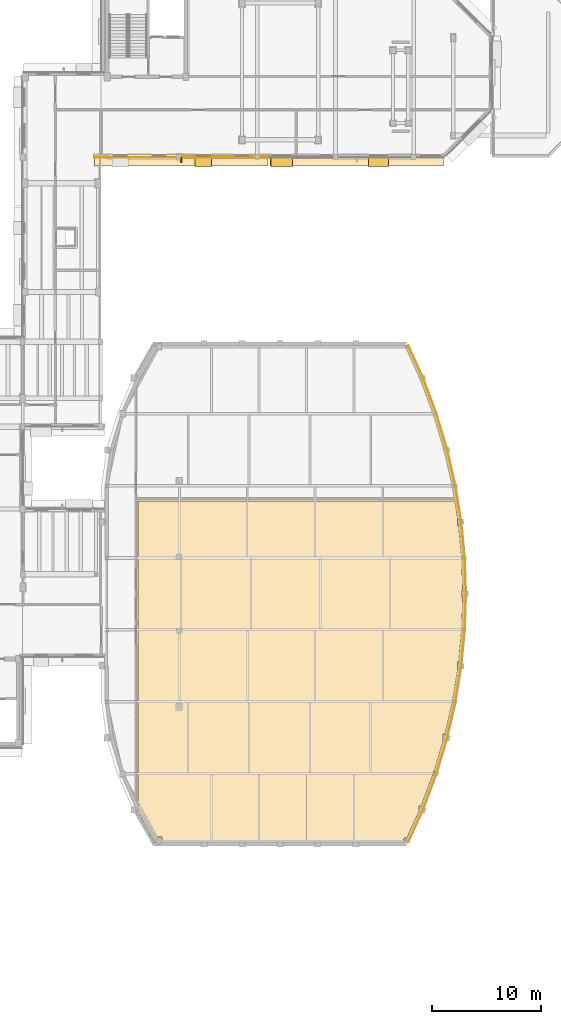
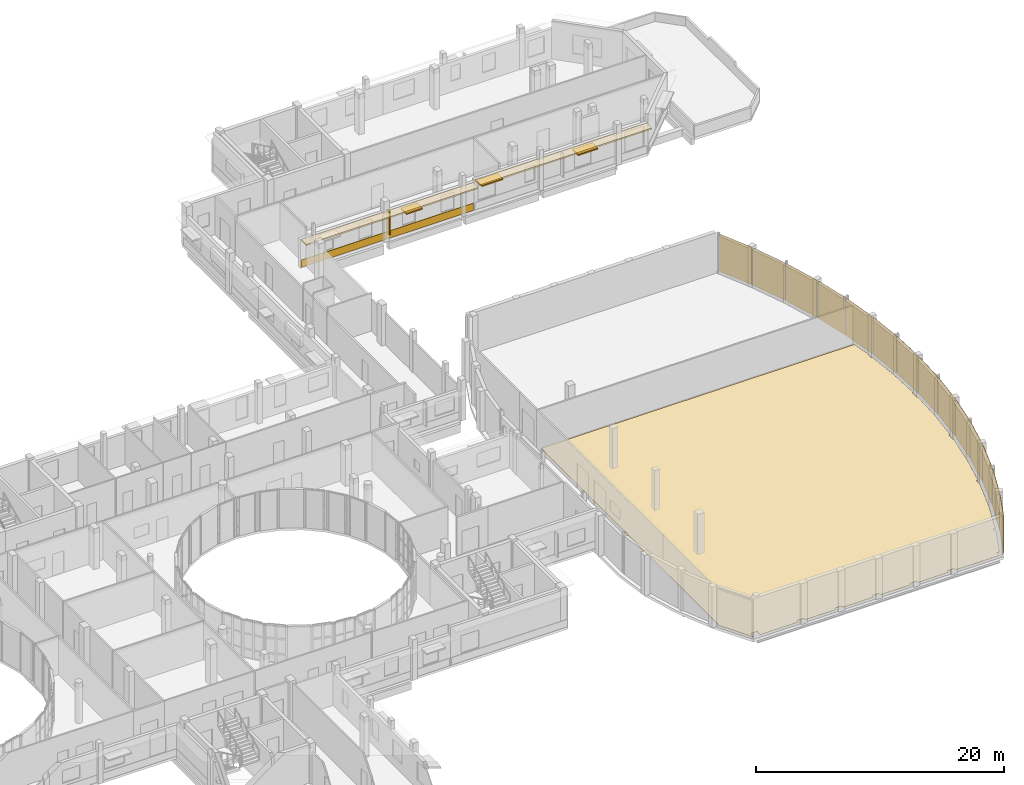
# One storey, part 103 of 105: 18 coverings, 4 shading devices.
"""IFC4 building model written with IfcOpenShell, lengths in metres."""

from ifc_helpers import new_model, si_unit, direction, frame, origin, origin_2d, place, context, subcontext, project, spatial, polyline, rectangle, outline, extrude, material, layer, layer_set, type_object, element, save


model = new_model("IFC4")

# Units and contexts
model_context = context("Model", 3, precision=1e-05, world=origin(), true_north=direction((0.0, 1.0)))
body_context = subcontext(model_context, "Body", "Model", "MODEL_VIEW")
ifc_project = project(units=[si_unit("LENGTHUNIT", "METRE"), si_unit("AREAUNIT", "SQUARE_METRE"), si_unit("VOLUMEUNIT", "CUBIC_METRE"), si_unit("PLANEANGLEUNIT", "RADIAN"), si_unit("MASSUNIT", "GRAM", prefix="KILO")], contexts=[model_context])

# Site, building, storey
site_placement = place(None, origin())
site = spatial("IfcSite", under=ifc_project, at=site_placement, CompositionType="ELEMENT")
building_placement = place(site_placement, origin())
building = spatial("IfcBuilding", under=site, at=building_placement, Name="Kelanivale Promenade Academy", CompositionType="ELEMENT")
storey_placement = place(building_placement, frame((0.0, 0.0, 4.199951171875)))
storey = spatial("IfcBuildingStorey", under=building, at=storey_placement, Name="L01", CompositionType="ELEMENT", Elevation=4.199951171875)

# Coverings
ifc_material_1 = material(Name="Sri Lankan terracotta fluted rainscreen cladding 45 mm", Category="masonry")
ifc_layer_1 = layer(ifc_material_1, 0.044921875)
ifc_layer_set_1 = layer_set([ifc_layer_1], Name="Sri Lankan terracotta fluted rainscreen cladding 45 mm")
covering_type_1 = type_object("IfcCoveringType", Name="COV-CLD1 Sri Lankan terracotta fluted rainscr", PredefinedType="CLADDING", material=ifc_layer_set_1)
covering_1_placement = place(storey_placement, frame((151.780029296875, 34.76904296875, 0.03955078125), z_axis=(0.0, 0.0, 1.0), x_axis=(0.414375580993, 0.910105970685, 0.0)))
element("IfcCovering", 1, at=covering_1_placement, inside=storey, type_object=covering_type_1, Name="Assembly Hall Arc Pavilion fluted terracotta cladding panel", PredefinedType="CLADDING", context=body_context, shape_type="SweptSolid", body=[
    extrude(rectangle(XDim=3.160888671875, YDim=0.044921875, at=origin_2d()), origin(), (0.0, 0.0, 1.0), 3.6650390625),
])
covering_2_placement = place(storey_placement, frame((153.076904296875, 37.912109375, 0.03955078125), z_axis=(0.0, 0.0, 1.0), x_axis=(0.350861216412, 0.936427470132, 0.0)))
element("IfcCovering", 2, at=covering_2_placement, inside=storey, type_object=covering_type_1, Name="Assembly Hall Arc Pavilion fluted terracotta cladding panel", PredefinedType="CLADDING", context=body_context, shape_type="SweptSolid", body=[
    extrude(rectangle(XDim=3.4599609375, YDim=0.044921875, at=origin_2d()), origin(), (0.0, 0.0, 1.0), 3.6650390625),
])
covering_3_placement = place(storey_placement, frame((154.197998046875, 41.237060546875, 0.03955078125), z_axis=(0.0, 0.0, 1.0), x_axis=(0.287026159226, 0.957922744234, 0.0)))
element("IfcCovering", 3, at=covering_3_placement, inside=storey, type_object=covering_type_1, Name="Assembly Hall Arc Pavilion fluted terracotta cladding panel", PredefinedType="CLADDING", context=body_context, shape_type="SweptSolid", body=[
    extrude(rectangle(XDim=3.3798828125, YDim=0.044921875, at=origin_2d()), origin(), (0.0, 0.0, 1.0), 3.6650390625),
])
covering_4_placement = place(storey_placement, frame((155.076904296875, 44.56201171875, 0.03955078125), z_axis=(0.0, 0.0, 1.0), x_axis=(0.223250116011, 0.974761194191, 0.0)))
element("IfcCovering", 4, at=covering_4_placement, inside=storey, type_object=covering_type_1, Name="Assembly Hall Arc Pavilion fluted terracotta cladding panel", PredefinedType="CLADDING", context=body_context, shape_type="SweptSolid", body=[
    extrude(rectangle(XDim=3.320068359375, YDim=0.044921875, at=origin_2d()), origin(), (0.0, 0.0, 1.0), 3.6650390625),
])
covering_5_placement = place(storey_placement, frame((155.72607421875, 47.886962890625, 0.03955078125), z_axis=(0.0, 0.0, 1.0), x_axis=(0.15936430246, 0.987219843349, 0.0)))
element("IfcCovering", 5, at=covering_5_placement, inside=storey, type_object=covering_type_1, Name="Assembly Hall Arc Pavilion fluted terracotta cladding panel", PredefinedType="CLADDING", context=body_context, shape_type="SweptSolid", body=[
    extrude(rectangle(XDim=3.277099609375, YDim=0.044921875, at=origin_2d()), origin(), (0.0, 0.0, 1.0), 3.6650390625),
])
covering_6_placement = place(storey_placement, frame((156.154052734375, 51.2119140625, 0.03955078125), z_axis=(0.0, 0.0, 1.0), x_axis=(0.095498287868, 0.995429594203, 0.0)))
element("IfcCovering", 6, at=covering_6_placement, inside=storey, type_object=covering_type_1, Name="Assembly Hall Arc Pavilion fluted terracotta cladding panel", PredefinedType="CLADDING", context=body_context, shape_type="SweptSolid", body=[
    extrude(rectangle(XDim=3.25, YDim=0.044921875, at=origin_2d()), origin(), (0.0, 0.0, 1.0), 3.6650390625),
])
for number, where, z_axis, x_axis, name in (
    (7, (156.366943359375, 54.5380859375, 0.03955078125), (0.0, 0.0, 1.0), (0.03193409516, 0.999489976721, 0.0), "Assembly Hall Arc Pavilion fluted terracotta cladding panel"),
    (8, (156.366943359375, 57.862060546875, 0.03955078125), (0.0, 0.0, 1.0), (-0.03193409516, 0.999489976721, 0.0), "Assembly Hall Arc Pavilion fluted terracotta cladding panel"),
):
    element("IfcCovering", number, at=place(storey_placement, frame(where, z_axis=z_axis, x_axis=x_axis)), inside=storey, type_object=covering_type_1, Name=name, PredefinedType="CLADDING", context=body_context, shape_type="SweptSolid", body=[
        extrude(rectangle(XDim=3.236083984375, YDim=0.044921875, at=origin_2d()), origin(), (0.0, 0.0, 1.0), 3.6650390625),
    ])
covering_7_placement = place(storey_placement, frame((156.154052734375, 61.18798828125, 0.03955078125), z_axis=(0.0, 0.0, 1.0), x_axis=(-0.095498287868, 0.995429594203, 0.0)))
element("IfcCovering", 9, at=covering_7_placement, inside=storey, type_object=covering_type_1, Name="Assembly Hall Arc Pavilion fluted terracotta cladding panel", PredefinedType="CLADDING", context=body_context, shape_type="SweptSolid", body=[
    extrude(rectangle(XDim=3.25, YDim=0.044921875, at=origin_2d()), origin(), (0.0, 0.0, 1.0), 3.6650390625),
])
covering_8_placement = place(storey_placement, frame((155.72607421875, 64.512939453125, 0.03955078125), z_axis=(0.0, 0.0, 1.0), x_axis=(-0.15936430246, 0.987219843349, 0.0)))
element("IfcCovering", 10, at=covering_8_placement, inside=storey, type_object=covering_type_1, Name="Assembly Hall Arc Pavilion fluted terracotta cladding panel", PredefinedType="CLADDING", context=body_context, shape_type="SweptSolid", body=[
    extrude(rectangle(XDim=3.277099609375, YDim=0.044921875, at=origin_2d()), origin(), (0.0, 0.0, 1.0), 3.6650390625),
])
covering_9_placement = place(storey_placement, frame((155.076904296875, 67.837890625, 0.03955078125), z_axis=(0.0, 0.0, 1.0), x_axis=(-0.223250116011, 0.974761194191, 0.0)))
element("IfcCovering", 11, at=covering_9_placement, inside=storey, type_object=covering_type_1, Name="Assembly Hall Arc Pavilion fluted terracotta cladding panel", PredefinedType="CLADDING", context=body_context, shape_type="SweptSolid", body=[
    extrude(rectangle(XDim=3.320068359375, YDim=0.044921875, at=origin_2d()), origin(), (0.0, 0.0, 1.0), 3.6650390625),
])
covering_10_placement = place(storey_placement, frame((154.197998046875, 71.1630859375, 0.03955078125), z_axis=(0.0, 0.0, 1.0), x_axis=(-0.287026159226, 0.957922744234, 0.0)))
element("IfcCovering", 12, at=covering_10_placement, inside=storey, type_object=covering_type_1, Name="Assembly Hall Arc Pavilion fluted terracotta cladding panel", PredefinedType="CLADDING", context=body_context, shape_type="SweptSolid", body=[
    extrude(rectangle(XDim=3.3798828125, YDim=0.044921875, at=origin_2d()), origin(), (0.0, 0.0, 1.0), 3.6650390625),
])
covering_11_placement = place(storey_placement, frame((153.076904296875, 74.488037109375, 0.03955078125), z_axis=(0.0, 0.0, 1.0), x_axis=(-0.350861216412, 0.936427470132, 0.0)))
element("IfcCovering", 13, at=covering_11_placement, inside=storey, type_object=covering_type_1, Name="Assembly Hall Arc Pavilion fluted terracotta cladding panel", PredefinedType="CLADDING", context=body_context, shape_type="SweptSolid", body=[
    extrude(rectangle(XDim=3.4599609375, YDim=0.044921875, at=origin_2d()), origin(), (0.0, 0.0, 1.0), 3.6650390625),
])
covering_12_placement = place(storey_placement, frame((151.780029296875, 77.631103515625, 0.03955078125), z_axis=(0.0, 0.0, 1.0), x_axis=(-0.414375580993, 0.910105970685, 0.0)))
element("IfcCovering", 14, at=covering_12_placement, inside=storey, type_object=covering_type_1, Name="Assembly Hall Arc Pavilion fluted terracotta cladding panel", PredefinedType="CLADDING", context=body_context, shape_type="SweptSolid", body=[
    extrude(rectangle(XDim=3.160888671875, YDim=0.044921875, at=origin_2d()), origin(), (0.0, 0.0, 1.0), 3.6650390625),
])
ifc_material_2 = material(Name="Warm ivory Art Deco stucco frieze band 40 mm", Category="masonry")
ifc_layer_2 = layer(ifc_material_2, 0.0400390625)
ifc_layer_set_2 = layer_set([ifc_layer_2], Name="Warm ivory Art Deco stucco frieze band 40 mm")
covering_type_2 = type_object("IfcCoveringType", Name="COV-CLD2 Warm ivory Art Deco stucco frieze ba", PredefinedType="CLADDING", material=ifc_layer_set_2)
covering_13_placement = place(storey_placement, frame((130.197998046875, 96.0, 2.6552734375), z_axis=(0.0, 0.0, 1.0), x_axis=(1.0, 0.0, 0.0)))
element("IfcCovering", 15, at=covering_13_placement, inside=storey, type_object=covering_type_2, Name="Art Deco projecting 820 mm streamline sunshade eyebrow ledge", PredefinedType="CLADDING", context=body_context, shape_type="SweptSolid", body=[
    extrude(rectangle(XDim=15.99609375, YDim=0.820068359375, at=origin_2d()), origin(), (0.0, 0.0, 1.0), 0.139892578125),
])
covering_14_placement = place(storey_placement, frame((130.197998046875, 96.385009765625, 0.06005859375), z_axis=(0.0, 0.0, 1.0), x_axis=(1.0, 0.0, 0.0)))
element("IfcCovering", 16, at=covering_14_placement, inside=storey, type_object=covering_type_2, Name="Art Deco ivory stucco sill frieze band", PredefinedType="CLADDING", context=body_context, shape_type="SweptSolid", body=[
    extrude(rectangle(XDim=15.99609375, YDim=0.0400390625, at=origin_2d()), origin(), (0.0, 0.0, 1.0), 0.719970703125),
])
covering_15_placement = place(storey_placement, frame((146.35302734375, 96.0, 2.85498046875), z_axis=(0.0, 0.0, 1.0), x_axis=(1.0, 0.0, 0.0)))
element("IfcCovering", 17, at=covering_15_placement, inside=storey, type_object=covering_type_2, Name="Art Deco projecting 820 mm streamline sunshade eyebrow ledge", PredefinedType="CLADDING", context=body_context, shape_type="SweptSolid", body=[
    extrude(rectangle(XDim=15.9951171875, YDim=0.820068359375, at=origin_2d()), origin(), (0.0, 0.0, 1.0), 0.139892578125),
])
ifc_material_3 = material(Name="Sprung hardwood sports floor finish 35 mm", Category="wood")
ifc_layer_3 = layer(ifc_material_3, 0.034912109375)
ifc_layer_set_3 = layer_set([ifc_layer_3], Name="Sprung hardwood sports floor finish 35 mm")
covering_type_3 = type_object("IfcCoveringType", Name="COV-FLR1 Sprung hardwood sports floor finish ", PredefinedType="FLOORING", material=ifc_layer_set_3)
covering_16_placement = place(storey_placement, origin())
element("IfcCovering", 18, at=covering_16_placement, inside=storey, type_object=covering_type_3, Name="Main Assembly Hall sprung hardwood flooring", PredefinedType="FLOORING", context=body_context, shape_type="SweptSolid", body=[
    extrude(outline(polyline([(126.22998046875, 64.77001953125), (126.22998046875, 36.01904296875), (127.806884765625, 33.27001953125), (127.85498046875, 33.27001953125), (127.85498046875, 33.7451171875), (127.85498046875, 33.75), (127.85595703125, 33.7548828125), (127.85693359375, 33.760009765625), (127.85888671875, 33.763916015625), (127.861083984375, 33.76904296875), (127.863037109375, 33.77294921875), (127.865966796875, 33.777099609375), (127.8701171875, 33.780029296875), (127.873046875, 33.783935546875), (127.876953125, 33.787109375), (127.881103515625, 33.7890625), (127.885986328125, 33.791015625), (127.889892578125, 33.79296875), (127.89501953125, 33.7939453125), (127.89990234375, 33.794921875), (127.905029296875, 33.794921875), (128.39501953125, 33.794921875), (128.39990234375, 33.794921875), (128.405029296875, 33.7939453125), (128.409912109375, 33.79296875), (128.4140625, 33.791015625), (128.4189453125, 33.7890625), (128.423095703125, 33.787109375), (128.427001953125, 33.783935546875), (128.429931640625, 33.780029296875), (128.43408203125, 33.777099609375), (128.43701171875, 33.77294921875), (128.43896484375, 33.76904296875), (128.44091796875, 33.763916015625), (128.443115234375, 33.760009765625), (128.444091796875, 33.7548828125), (128.445068359375, 33.75), (128.445068359375, 33.7451171875), (128.445068359375, 33.27001953125), (131.988037109375, 33.27001953125), (131.988037109375, 33.43994140625), (131.988037109375, 33.445068359375), (131.989013671875, 33.449951171875), (131.989990234375, 33.455078125), (131.991943359375, 33.458984375), (131.993896484375, 33.464111328125), (131.99609375, 33.468017578125), (131.9990234375, 33.471923828125), (132.0029296875, 33.47509765625), (132.006103515625, 33.47900390625), (132.010009765625, 33.48193359375), (132.013916015625, 33.48388671875), (132.01904296875, 33.486083984375), (132.02294921875, 33.488037109375), (132.028076171875, 33.489013671875), (132.032958984375, 33.489990234375), (132.0380859375, 33.489990234375), (132.577880859375, 33.489990234375), (132.5830078125, 33.489990234375), (132.587890625, 33.489013671875), (132.593017578125, 33.488037109375), (132.596923828125, 33.486083984375), (132.60205078125, 33.48388671875), (132.60595703125, 33.48193359375), (132.610107421875, 33.47900390625), (132.613037109375, 33.47509765625), (132.616943359375, 33.471923828125), (132.6201171875, 33.468017578125), (132.6220703125, 33.464111328125), (132.6240234375, 33.458984375), (132.6259765625, 33.455078125), (132.626953125, 33.449951171875), (132.6279296875, 33.445068359375), (132.6279296875, 33.43994140625), (132.6279296875, 33.27001953125), (135.48095703125, 33.27001953125), (135.48095703125, 33.43994140625), (135.48095703125, 33.445068359375), (135.48193359375, 33.449951171875), (135.48291015625, 33.455078125), (135.485107421875, 33.458984375), (135.487060546875, 33.464111328125), (135.489013671875, 33.468017578125), (135.491943359375, 33.471923828125), (135.49609375, 33.47509765625), (135.4990234375, 33.47900390625), (135.5029296875, 33.48193359375), (135.507080078125, 33.48388671875), (135.511962890625, 33.486083984375), (135.51611328125, 33.488037109375), (135.52099609375, 33.489013671875), (135.52587890625, 33.489990234375), (135.531005859375, 33.489990234375), (136.071044921875, 33.489990234375), (136.075927734375, 33.489990234375), (136.0810546875, 33.489013671875), (136.0859375, 33.488037109375), (136.090087890625, 33.486083984375), (136.094970703125, 33.48388671875), (136.09912109375, 33.48193359375), (136.10302734375, 33.47900390625), (136.10595703125, 33.47509765625), (136.110107421875, 33.471923828125), (136.113037109375, 33.468017578125), (136.114990234375, 33.464111328125), (136.116943359375, 33.458984375), (136.118896484375, 33.455078125), (136.1201171875, 33.449951171875), (136.12109375, 33.445068359375), (136.12109375, 33.43994140625), (136.12109375, 33.27001953125), (138.97412109375, 33.27001953125), (138.97412109375, 33.43994140625), (138.97412109375, 33.445068359375), (138.97509765625, 33.449951171875), (138.97607421875, 33.455078125), (138.97802734375, 33.458984375), (138.97998046875, 33.464111328125), (138.98193359375, 33.468017578125), (138.985107421875, 33.471923828125), (138.989013671875, 33.47509765625), (138.991943359375, 33.47900390625), (138.99609375, 33.48193359375), (139.0, 33.48388671875), (139.0048828125, 33.486083984375), (139.009033203125, 33.488037109375), (139.013916015625, 33.489013671875), (139.01904296875, 33.489990234375), (139.02392578125, 33.489990234375), (139.56396484375, 33.489990234375), (139.569091796875, 33.489990234375), (139.573974609375, 33.489013671875), (139.5791015625, 33.488037109375), (139.5830078125, 33.486083984375), (139.587890625, 33.48388671875), (139.592041015625, 33.48193359375), (139.595947265625, 33.47900390625), (139.59912109375, 33.47509765625), (139.60302734375, 33.471923828125), (139.60595703125, 33.468017578125), (139.60791015625, 33.464111328125), (139.610107421875, 33.458984375), (139.612060546875, 33.455078125), (139.613037109375, 33.449951171875), (139.614013671875, 33.445068359375), (139.614013671875, 33.43994140625), (139.614013671875, 33.27001953125), (142.467041015625, 33.27001953125), (142.467041015625, 33.43994140625), (142.467041015625, 33.445068359375), (142.468017578125, 33.449951171875), (142.468994140625, 33.455078125), (142.470947265625, 33.458984375), (142.472900390625, 33.464111328125), (142.47509765625, 33.468017578125), (142.47802734375, 33.471923828125), (142.48193359375, 33.47509765625), (142.485107421875, 33.47900390625), (142.489013671875, 33.48193359375), (142.492919921875, 33.48388671875), (142.498046875, 33.486083984375), (142.501953125, 33.488037109375), (142.507080078125, 33.489013671875), (142.511962890625, 33.489990234375), (142.51708984375, 33.489990234375), (143.056884765625, 33.489990234375), (143.06201171875, 33.489990234375), (143.06689453125, 33.489013671875), (143.072021484375, 33.488037109375), (143.075927734375, 33.486083984375), (143.0810546875, 33.48388671875), (143.0849609375, 33.48193359375), (143.089111328125, 33.47900390625), (143.092041015625, 33.47509765625), (143.095947265625, 33.471923828125), (143.09912109375, 33.468017578125), (143.10107421875, 33.464111328125), (143.10302734375, 33.458984375), (143.10498046875, 33.455078125), (143.10595703125, 33.449951171875), (143.10693359375, 33.445068359375), (143.10693359375, 33.43994140625), (143.10693359375, 33.27001953125), (145.9599609375, 33.27001953125), (145.9599609375, 33.43994140625), (145.9599609375, 33.445068359375), (145.9609375, 33.449951171875), (145.9619140625, 33.455078125), (145.964111328125, 33.458984375), (145.966064453125, 33.464111328125), (145.968017578125, 33.468017578125), (145.970947265625, 33.471923828125), (145.97509765625, 33.47509765625), (145.97802734375, 33.47900390625), (145.98193359375, 33.48193359375), (145.986083984375, 33.48388671875), (145.990966796875, 33.486083984375), (145.9951171875, 33.488037109375), (146.0, 33.489013671875), (146.0048828125, 33.489990234375), (146.010009765625, 33.489990234375), (146.550048828125, 33.489990234375), (146.554931640625, 33.489990234375), (146.56005859375, 33.489013671875), (146.56494140625, 33.488037109375), (146.569091796875, 33.486083984375), (146.573974609375, 33.48388671875), (146.577880859375, 33.48193359375), (146.58203125, 33.47900390625), (146.5849609375, 33.47509765625), (146.589111328125, 33.471923828125), (146.592041015625, 33.468017578125), (146.593994140625, 33.464111328125), (146.595947265625, 33.458984375), (146.597900390625, 33.455078125), (146.59912109375, 33.449951171875), (146.60009765625, 33.445068359375), (146.60009765625, 33.43994140625), (146.60009765625, 33.27001953125), (150.68310546875, 33.27001953125), (150.68310546875, 33.65087890625), (150.68310546875, 33.656005859375), (150.68408203125, 33.660888671875), (150.68505859375, 33.666015625), (150.68701171875, 33.669921875), (150.68896484375, 33.675048828125), (150.69091796875, 33.678955078125), (150.694091796875, 33.68310546875), (150.697021484375, 33.68603515625), (150.700927734375, 33.68994140625), (150.705078125, 33.693115234375), (150.708984375, 33.695068359375), (150.714111328125, 33.697021484375), (150.718017578125, 33.698974609375), (150.722900390625, 33.699951171875), (150.72802734375, 33.700927734375), (150.73291015625, 33.700927734375), (150.9599609375, 33.700927734375), (152.0869140625, 36.176025390625), (152.0869140625, 36.634033203125), (152.0869140625, 36.638916015625), (152.087890625, 36.64404296875), (152.089111328125, 36.64892578125), (152.091064453125, 36.653076171875), (152.093017578125, 36.657958984375), (152.094970703125, 36.662109375), (152.097900390625, 36.666015625), (152.10205078125, 36.6689453125), (152.10498046875, 36.673095703125), (152.10888671875, 36.676025390625), (152.113037109375, 36.677978515625), (152.117919921875, 36.679931640625), (152.1220703125, 36.681884765625), (152.126953125, 36.68310546875), (152.132080078125, 36.68408203125), (152.136962890625, 36.68408203125), (152.297119140625, 36.68408203125), (153.43310546875, 39.715087890625), (153.43408203125, 39.716064453125), (153.43408203125, 39.830078125), (153.43408203125, 39.8349609375), (153.43505859375, 39.840087890625), (153.43603515625, 39.844970703125), (153.43798828125, 39.84912109375), (153.43994140625, 39.85400390625), (153.44189453125, 39.85791015625), (153.445068359375, 39.862060546875), (153.447998046875, 39.864990234375), (153.451904296875, 39.868896484375), (153.4560546875, 39.8720703125), (153.4599609375, 39.8740234375), (153.465087890625, 39.8759765625), (153.468994140625, 39.8779296875), (153.47412109375, 39.87890625), (153.47900390625, 39.8798828125), (153.48291015625, 39.8798828125), (154.322021484375, 42.68310546875), (154.322021484375, 43.262939453125), (154.322021484375, 43.26806640625), (154.322998046875, 43.27294921875), (154.323974609375, 43.278076171875), (154.325927734375, 43.281982421875), (154.327880859375, 43.287109375), (154.330078125, 43.291015625), (154.3330078125, 43.294921875), (154.3369140625, 43.298095703125), (154.340087890625, 43.302001953125), (154.343994140625, 43.304931640625), (154.347900390625, 43.306884765625), (154.35302734375, 43.30908203125), (154.35693359375, 43.31103515625), (154.362060546875, 43.31201171875), (154.366943359375, 43.31298828125), (154.3720703125, 43.31298828125), (154.489013671875, 43.31298828125), (155.176025390625, 46.30810546875), (155.64404296875, 49.2060546875), (155.64208984375, 49.20703125), (155.637939453125, 49.208984375), (155.634033203125, 49.2119140625), (155.631103515625, 49.216064453125), (155.626953125, 49.218994140625), (155.6240234375, 49.222900390625), (155.6220703125, 49.22705078125), (155.6201171875, 49.23193359375), (155.617919921875, 49.236083984375), (155.616943359375, 49.240966796875), (155.615966796875, 49.24609375), (155.615966796875, 49.2509765625), (155.615966796875, 49.89111328125), (155.615966796875, 49.89599609375), (155.616943359375, 49.90087890625), (155.617919921875, 49.906005859375), (155.6201171875, 49.909912109375), (155.6220703125, 49.9150390625), (155.6240234375, 49.9189453125), (155.626953125, 49.923095703125), (155.631103515625, 49.926025390625), (155.634033203125, 49.929931640625), (155.637939453125, 49.93310546875), (155.64208984375, 49.93505859375), (155.64697265625, 49.93701171875), (155.65087890625, 49.93896484375), (155.656005859375, 49.93994140625), (155.660888671875, 49.94091796875), (155.666015625, 49.94091796875), (155.740966796875, 49.94091796875), (156.02392578125, 52.903076171875), (156.117919921875, 55.830078125), (156.090087890625, 55.830078125), (156.0849609375, 55.830078125), (156.080078125, 55.8310546875), (156.074951171875, 55.83203125), (156.071044921875, 55.833984375), (156.06591796875, 55.8359375), (156.06201171875, 55.837890625), (156.05810546875, 55.841064453125), (156.054931640625, 55.844970703125), (156.051025390625, 55.847900390625), (156.048095703125, 55.85205078125), (156.0458984375, 55.85595703125), (156.0439453125, 55.861083984375), (156.0419921875, 55.864990234375), (156.041015625, 55.8701171875), (156.0400390625, 55.875), (156.0400390625, 55.8798828125), (156.0400390625, 56.52001953125), (156.0400390625, 56.52490234375), (156.041015625, 56.530029296875), (156.0419921875, 56.534912109375), (156.0439453125, 56.5390625), (156.0458984375, 56.5439453125), (156.048095703125, 56.548095703125), (156.051025390625, 56.552001953125), (156.054931640625, 56.554931640625), (156.05810546875, 56.55908203125), (156.06201171875, 56.56201171875), (156.06591796875, 56.56396484375), (156.071044921875, 56.56591796875), (156.074951171875, 56.568115234375), (156.080078125, 56.569091796875), (156.0849609375, 56.570068359375), (156.090087890625, 56.570068359375), (156.117919921875, 56.570068359375), (156.02392578125, 59.4970703125), (155.738037109375, 62.48388671875), (155.69091796875, 62.48388671875), (155.68603515625, 62.48388671875), (155.680908203125, 62.485107421875), (155.676025390625, 62.486083984375), (155.672119140625, 62.488037109375), (155.6669921875, 62.489990234375), (155.6630859375, 62.491943359375), (155.658935546875, 62.4951171875), (155.656005859375, 62.4990234375), (155.652099609375, 62.501953125), (155.64892578125, 62.506103515625), (155.64697265625, 62.510009765625), (155.64501953125, 62.514892578125), (155.64306640625, 62.51904296875), (155.64208984375, 62.52392578125), (155.64111328125, 62.529052734375), (155.64111328125, 62.533935546875), (155.64111328125, 63.1240234375), (155.64111328125, 63.12890625), (155.64208984375, 63.134033203125), (155.64306640625, 63.138916015625), (155.64501953125, 63.14306640625), (155.64697265625, 63.14794921875), (155.64892578125, 63.152099609375), (155.64990234375, 63.153076171875), (155.388916015625, 64.77001953125), (126.22998046875, 64.77001953125)])), origin(), (0.0, 0.0, 1.0), 0.03515625),
])

# Shading devices
ifc_material_4 = material(Name="Precast concrete C40/50", Category="concrete")
ifc_layer_4 = layer(ifc_material_4, 0.1201171875)
ifc_layer_set_4 = layer_set([ifc_layer_4], Name="Precast concrete C40/50")
shading_device_type_1 = type_object("IfcShadingDeviceType", Name="SHD-01 Art Deco Sunshade Eyebrow 900mm", PredefinedType="USERDEFINED", material=ifc_layer_set_4)
shading_device_1_placement = place(storey_placement, frame((132.218017578125, 95.9599609375, 2.510009765625), z_axis=(0.0, 0.0, 1.0), x_axis=(1.0, 0.0, 0.0)))
element("IfcShadingDevice", 19, at=shading_device_1_placement, inside=storey, type_object=shading_device_type_1, Name="Art Deco 900 mm precast chajja window sunshade", ObjectType="SUNSHADE", PredefinedType="USERDEFINED", context=body_context, shape_type="SweptSolid", body=[
    extrude(rectangle(XDim=1.5, YDim=0.89990234375, at=origin_2d()), origin(), (0.0, 0.0, 1.0), 0.1201171875),
])
shading_device_2_placement = place(storey_placement, frame((139.4609375, 95.9599609375, 2.81005859375), z_axis=(0.0, 0.0, 1.0), x_axis=(1.0, 0.0, 0.0)))
element("IfcShadingDevice", 20, at=shading_device_2_placement, inside=storey, type_object=shading_device_type_1, Name="Art Deco 900 mm precast chajja window sunshade", ObjectType="SUNSHADE", PredefinedType="USERDEFINED", context=body_context, shape_type="SweptSolid", body=[
    extrude(rectangle(XDim=1.949951171875, YDim=0.89990234375, at=origin_2d()), origin(), (0.0, 0.0, 1.0), 0.1201171875),
])
shading_device_3_placement = place(storey_placement, frame((148.373046875, 95.9599609375, 2.7099609375), z_axis=(0.0, 0.0, 1.0), x_axis=(1.0, 0.0, 0.0)))
element("IfcShadingDevice", 21, at=shading_device_3_placement, inside=storey, type_object=shading_device_type_1, Name="Art Deco 900 mm precast chajja window sunshade", ObjectType="SUNSHADE", PredefinedType="USERDEFINED", context=body_context, shape_type="SweptSolid", body=[
    extrude(rectangle(XDim=1.85009765625, YDim=0.89990234375, at=origin_2d()), origin(), (0.0, 0.0, 1.0), 0.1201171875),
])
ifc_material_5 = material(Name="Bronze anodised aluminium EN AW-6063 T6", Category="aluminium")
ifc_layer_5 = layer(ifc_material_5, 0.10009765625)
ifc_layer_set_5 = layer_set([ifc_layer_5], Name="Bronze anodised aluminium EN AW-6063 T6")
shading_device_type_2 = type_object("IfcShadingDeviceType", Name="SHD-03 Vertical Fluted Solar Fin", PredefinedType="USERDEFINED", material=ifc_layer_set_5)
shading_device_4_placement = place(storey_placement, frame((130.197998046875, 96.179931640625, 0.7001953125), z_axis=(0.0, 0.0, 1.0), x_axis=(1.0, 0.0, 0.0)))
element("IfcShadingDevice", 22, at=shading_device_4_placement, inside=storey, type_object=shading_device_type_2, Name="Vertical fluted Art Deco solar fin", ObjectType="SOLAR FIN", PredefinedType="USERDEFINED", context=body_context, shape_type="SweptSolid", body=[
    extrude(rectangle(XDim=0.10009765625, YDim=0.449951171875, at=origin_2d()), origin(), (0.0, 0.0, 1.0), 2.300048828125),
])

save(model, "model.ifc")
